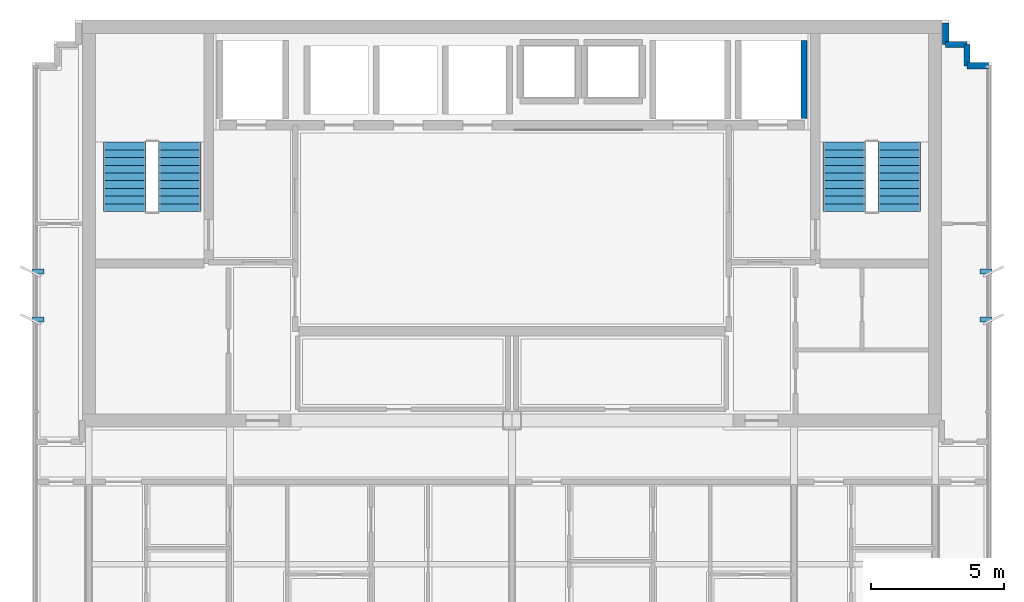
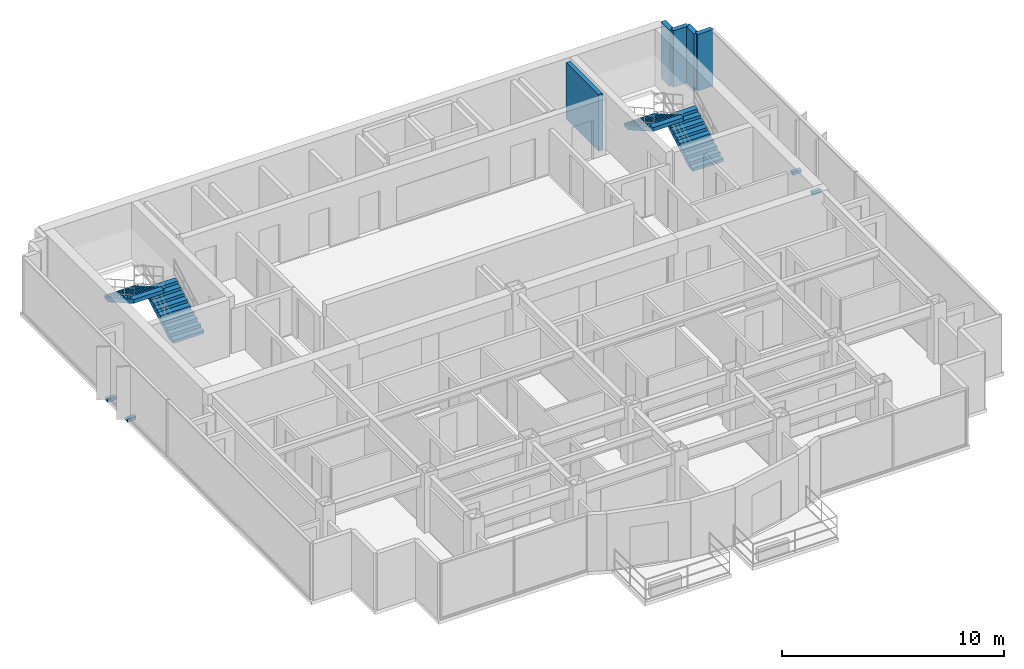
# One storey, part 9 of 11: 5 walls, 4 discrete accessories, 4 stair flights, 2 elements without a shape of their own.
"""IFC4 building model written with IfcOpenShell, lengths in metres."""

from ifc_helpers import new_model, si_unit, direction, frame, frame_2d, origin, origin_2d, place, context, subcontext, project, spatial, polyline, rectangle, outline, extrude, source, transform, mapped, material, layer, layer_set, type_object, element, aggregate, save


model = new_model("IFC4")

# Units and contexts
model_context = context("Model", 3, precision=1e-05, world=origin(), true_north=direction((0.0, 1.0)))
body_context = subcontext(model_context, "Body", "Model", "MODEL_VIEW")
ifc_project = project(units=[si_unit("LENGTHUNIT", "METRE"), si_unit("AREAUNIT", "SQUARE_METRE"), si_unit("VOLUMEUNIT", "CUBIC_METRE"), si_unit("PLANEANGLEUNIT", "RADIAN"), si_unit("MASSUNIT", "GRAM", prefix="KILO")], contexts=[model_context])

# Site, building, storey
site_placement = place(None, origin())
site = spatial("IfcSite", under=ifc_project, at=site_placement, CompositionType="ELEMENT")
building_placement = place(site_placement, origin())
building = spatial("IfcBuilding", under=site, at=building_placement, Name="Qianlan Lanfeng Residences", CompositionType="ELEMENT")
storey_placement = place(building_placement, frame((0.0, 0.0, 256.10009765625)))
storey = spatial("IfcBuildingStorey", under=building, at=storey_placement, Name="L71", CompositionType="ELEMENT", Elevation=256.10009765625)

# Walls
ifc_material_1 = material(Name="Concrete C42", Category="concrete")
ifc_layer_1 = layer(ifc_material_1, 0.239990234375)
ifc_layer_set_1 = layer_set([ifc_layer_1], Name="Concrete C42")
wall_type_1 = type_object("IfcWallType", Name="EW-240", PredefinedType="SOLIDWALL", material=ifc_layer_set_1)
wall_1_placement = place(storey_placement, frame((44.39990234375, 38.530029296875, 0.0), z_axis=(0.0, 0.0, 1.0), x_axis=(-1.0, 0.0, 0.0)))
element("IfcWall", 1, at=wall_1_placement, inside=storey, type_object=wall_type_1, Name="L71 Exterior Facade Spandrel Wall 15", PredefinedType="SOLIDWALL", context=body_context, shape_type="SweptSolid", body=[
    extrude(rectangle(XDim=0.7998046875, YDim=0.239990234375, at=frame_2d((0.39990234375, 0.0))), origin(), (0.0, 0.0, 1.0), 3.10986328125),
])
for number, where, z_axis, x_axis, name in (
    (2, (43.60009765625, 38.530029296875, 0.0), (0.0, 0.0, 1.0), (0.0, 1.0, 0.0), "L71 Exterior Facade Spandrel Wall 16"),
    (3, (43.60009765625, 39.330078125, 0.0), (0.0, 0.0, 1.0), (-1.0, 0.0, 0.0), "L71 Exterior Facade Spandrel Wall 17"),
):
    element("IfcWall", number, at=place(storey_placement, frame(where, z_axis=z_axis, x_axis=x_axis)), inside=storey, type_object=wall_type_1, Name=name, PredefinedType="SOLIDWALL", context=body_context, shape_type="SweptSolid", body=[
        extrude(rectangle(XDim=0.800048828125, YDim=0.239990234375, at=frame_2d((0.39990234375, 0.0))), origin(), (0.0, 0.0, 1.0), 3.10986328125),
    ])
wall_2_placement = place(storey_placement, frame((42.800048828125, 39.330078125, 0.0), z_axis=(0.0, 0.0, 1.0), x_axis=(0.0, 1.0, 0.0)))
element("IfcWall", 4, at=wall_2_placement, inside=storey, type_object=wall_type_1, Name="L71 Exterior Facade Spandrel Wall 18", PredefinedType="SOLIDWALL", context=body_context, shape_type="SweptSolid", body=[
    extrude(rectangle(XDim=0.7998046875, YDim=0.239990234375, at=frame_2d((0.39990234375, 0.0))), origin(), (0.0, 0.0, 1.0), 3.10986328125),
])
ifc_material_2 = material(Name="Concrete C49", Category="concrete")
ifc_layer_2 = layer(ifc_material_2, 0.219970703125)
ifc_layer_set_2 = layer_set([ifc_layer_2], Name="Concrete C49")
wall_type_2 = type_object("IfcWallType", Name="SHW-220", PredefinedType="SOLIDWALL", material=ifc_layer_set_2)
wall_3_placement = place(storey_placement, frame((37.47998046875, 36.550048828125, 0.0), z_axis=(0.0, 0.0, 1.0), x_axis=(0.0, 1.0, 0.0)))
element("IfcWall", 5, at=wall_3_placement, inside=storey, type_object=wall_type_2, Name="L71 Lift FFL-2 Shaft Wall E", PredefinedType="SOLIDWALL", context=body_context, shape_type="SweptSolid", body=[
    extrude(rectangle(XDim=2.929931640625, YDim=0.219970703125, at=frame_2d((1.46484375, 0.0))), origin(), (0.0, 0.0, 1.0), 3.10986328125),
])

# Stair, stair flights
stair_type = type_object("IfcStairType", Name="STR-MAIN", PredefinedType="HALF_TURN_STAIR", material=ifc_material_1)
stair_1_placement = place(storey_placement, origin())
stair_1 = element("IfcStair", 6, at=stair_1_placement, inside=storey, type_object=stair_type, Name="L71 Exit Stair ST-1", PredefinedType="HALF_TURN_STAIR")
stair_flight_type = type_object("IfcStairFlightType", Name="FLT-1720", PredefinedType="STRAIGHT", material=ifc_material_1)
stair_flight_1_placement = place(storey_placement, frame((14.02001953125, 33.050048828125, 0.0), z_axis=(0.0, 0.0, 1.0), x_axis=(0.0, 1.0, 0.0)))
stair_flight_1 = element("IfcStairFlight", 7, at=stair_flight_1_placement, type_object=stair_flight_type, Name="ST-1 flight 1", NumberOfRisers=10, NumberOfTreads=9, PredefinedType="STRAIGHT", RiserHeight=0.165, TreadLength=0.29, context=body_context, shape_type="SweptSolid", body=[
    extrude(outline(polyline([(0.0, 0.0), (0.0, 0.1650390625), (0.2900390625, 0.1650390625), (0.2900390625, 0.330078125), (0.580078125, 0.330078125), (0.580078125, 0.4951171875), (0.8701171875, 0.4951171875), (0.8701171875, 0.659912109375), (1.159912109375, 0.659912109375), (1.159912109375, 0.824951171875), (1.449951171875, 0.824951171875), (1.449951171875, 0.989990234375), (1.739990234375, 0.989990234375), (1.739990234375, 1.155029296875), (2.030029296875, 1.155029296875), (2.030029296875, 1.320068359375), (2.320068359375, 1.320068359375), (2.320068359375, 1.485107421875), (2.610107421875, 1.485107421875), (2.610107421875, 1.64990234375), (2.610107421875, 1.278076171875), (0.36376953125, 0.0), (0.0, 0.0)])), frame((0.0, 0.800048828125, 0.0), z_axis=(0.0, -1.0, 0.0), x_axis=(1.0, 0.0, 0.0)), (0.0, 0.0, 1.0), 1.60009765625),
])
stair_flight_2_placement = place(storey_placement, frame((11.93994140625, 35.659912109375, 1.64990234375), z_axis=(0.0, 0.0, 1.0), x_axis=(0.0, -1.0, 0.0)))
stair_flight_2 = element("IfcStairFlight", 8, at=stair_flight_2_placement, type_object=stair_flight_type, Name="ST-1 flight 2", NumberOfRisers=10, NumberOfTreads=9, PredefinedType="STRAIGHT", RiserHeight=0.165, TreadLength=0.29, context=body_context, shape_type="SweptSolid", body=[
    extrude(outline(polyline([(0.0, 0.0), (0.0, 0.1650390625), (0.2900390625, 0.1650390625), (0.2900390625, 0.330078125), (0.580078125, 0.330078125), (0.580078125, 0.4951171875), (0.8701171875, 0.4951171875), (0.8701171875, 0.659912109375), (1.159912109375, 0.659912109375), (1.159912109375, 0.824951171875), (1.449951171875, 0.824951171875), (1.449951171875, 0.989990234375), (1.739990234375, 0.989990234375), (1.739990234375, 1.155029296875), (2.030029296875, 1.155029296875), (2.030029296875, 1.320068359375), (2.320068359375, 1.320068359375), (2.320068359375, 1.485107421875), (2.610107421875, 1.485107421875), (2.610107421875, 1.64990234375), (2.610107421875, 1.278076171875), (0.36376953125, 0.0), (0.0, 0.0)])), frame((0.0, 0.800048828125, 0.0), z_axis=(0.0, -1.0, 0.0), x_axis=(1.0, 0.0, 0.0)), (0.0, 0.0, 1.0), 1.60009765625),
])
aggregate(stair_1, [stair_flight_1, stair_flight_2])

stair_2_placement = place(storey_placement, origin())
stair_2 = element("IfcStair", 9, at=stair_2_placement, inside=storey, type_object=stair_type, Name="L71 Exit Stair ST-2", PredefinedType="HALF_TURN_STAIR")
stair_flight_3_placement = place(storey_placement, frame((41.06005859375, 33.050048828125, 0.0), z_axis=(0.0, 0.0, 1.0), x_axis=(0.0, 1.0, 0.0)))
stair_flight_3 = element("IfcStairFlight", 10, at=stair_flight_3_placement, type_object=stair_flight_type, Name="ST-2 flight 1", NumberOfRisers=10, NumberOfTreads=9, PredefinedType="STRAIGHT", RiserHeight=0.165, TreadLength=0.29, context=body_context, shape_type="SweptSolid", body=[
    extrude(outline(polyline([(0.0, 0.0), (0.0, 0.1650390625), (0.2900390625, 0.1650390625), (0.2900390625, 0.330078125), (0.580078125, 0.330078125), (0.580078125, 0.4951171875), (0.8701171875, 0.4951171875), (0.8701171875, 0.659912109375), (1.159912109375, 0.659912109375), (1.159912109375, 0.824951171875), (1.449951171875, 0.824951171875), (1.449951171875, 0.989990234375), (1.739990234375, 0.989990234375), (1.739990234375, 1.155029296875), (2.030029296875, 1.155029296875), (2.030029296875, 1.320068359375), (2.320068359375, 1.320068359375), (2.320068359375, 1.485107421875), (2.610107421875, 1.485107421875), (2.610107421875, 1.64990234375), (2.610107421875, 1.278076171875), (0.36376953125, 0.0), (0.0, 0.0)])), frame((0.0, 0.800048828125, 0.0), z_axis=(0.0, -1.0, 0.0), x_axis=(1.0, 0.0, 0.0)), (0.0, 0.0, 1.0), 1.60009765625),
])
stair_flight_4_placement = place(storey_placement, frame((38.97998046875, 35.659912109375, 1.64990234375), z_axis=(0.0, 0.0, 1.0), x_axis=(0.0, -1.0, 0.0)))
stair_flight_4 = element("IfcStairFlight", 11, at=stair_flight_4_placement, type_object=stair_flight_type, Name="ST-2 flight 2", NumberOfRisers=10, NumberOfTreads=9, PredefinedType="STRAIGHT", RiserHeight=0.165, TreadLength=0.29, context=body_context, shape_type="SweptSolid", body=[
    extrude(outline(polyline([(0.0, 0.0), (0.0, 0.1650390625), (0.2900390625, 0.1650390625), (0.2900390625, 0.330078125), (0.580078125, 0.330078125), (0.580078125, 0.4951171875), (0.8701171875, 0.4951171875), (0.8701171875, 0.659912109375), (1.159912109375, 0.659912109375), (1.159912109375, 0.824951171875), (1.449951171875, 0.824951171875), (1.449951171875, 0.989990234375), (1.739990234375, 0.989990234375), (1.739990234375, 1.155029296875), (2.030029296875, 1.155029296875), (2.030029296875, 1.320068359375), (2.320068359375, 1.320068359375), (2.320068359375, 1.485107421875), (2.610107421875, 1.485107421875), (2.610107421875, 1.64990234375), (2.610107421875, 1.278076171875), (0.36376953125, 0.0), (0.0, 0.0)])), frame((0.0, 0.800048828125, 0.0), z_axis=(0.0, -1.0, 0.0), x_axis=(1.0, 0.0, 0.0)), (0.0, 0.0, 1.0), 1.60009765625),
])
aggregate(stair_2, [stair_flight_3, stair_flight_4])

# Discrete accessories
ifc_material_3 = material(Name="Stainless Steel Facade Bracket", Category="steel")
discrete_accessory_type = type_object("IfcDiscreteAccessoryType", Name="BRK-SS-350", PredefinedType="BRACKET", material=ifc_material_3)
shared_shape = source(origin(), body_context, "Body", "SweptSolid", [
    extrude(rectangle(XDim=0.449951171875, YDim=0.179931640625, at=origin_2d()), origin(), (0.0, 0.0, 1.0), 0.179931640625),
])
for number, where, z_axis, x_axis, name in (
    (12, (8.679931640625, 29.0, -0.14990234375), (0.0, 0.0, 1.0), (1.0, 0.0, 0.0), "L71 Raked Solar Fin Support Bracket W1"),
    (13, (8.679931640625, 30.800048828125, -0.14990234375), (0.0, 0.0, 1.0), (1.0, 0.0, 0.0), "L71 Raked Solar Fin Support Bracket W2"),
    (14, (44.320068359375, 29.0, -0.14990234375), (0.0, 0.0, 1.0), (1.0, 0.0, 0.0), "L71 Raked Solar Fin Support Bracket E1"),
    (15, (44.320068359375, 30.800048828125, -0.14990234375), (0.0, 0.0, 1.0), (1.0, 0.0, 0.0), "L71 Raked Solar Fin Support Bracket E2"),
):
    element("IfcDiscreteAccessory", number, at=place(storey_placement, frame(where, z_axis=z_axis, x_axis=x_axis)), inside=storey, type_object=discrete_accessory_type, Name=name, PredefinedType="BRACKET", context=body_context, shape_type="MappedRepresentation", body=[
        mapped(shared_shape, transform((0.0, 0.0, 0.0), scale=1.0)),
    ])

save(model, "model.ifc")
